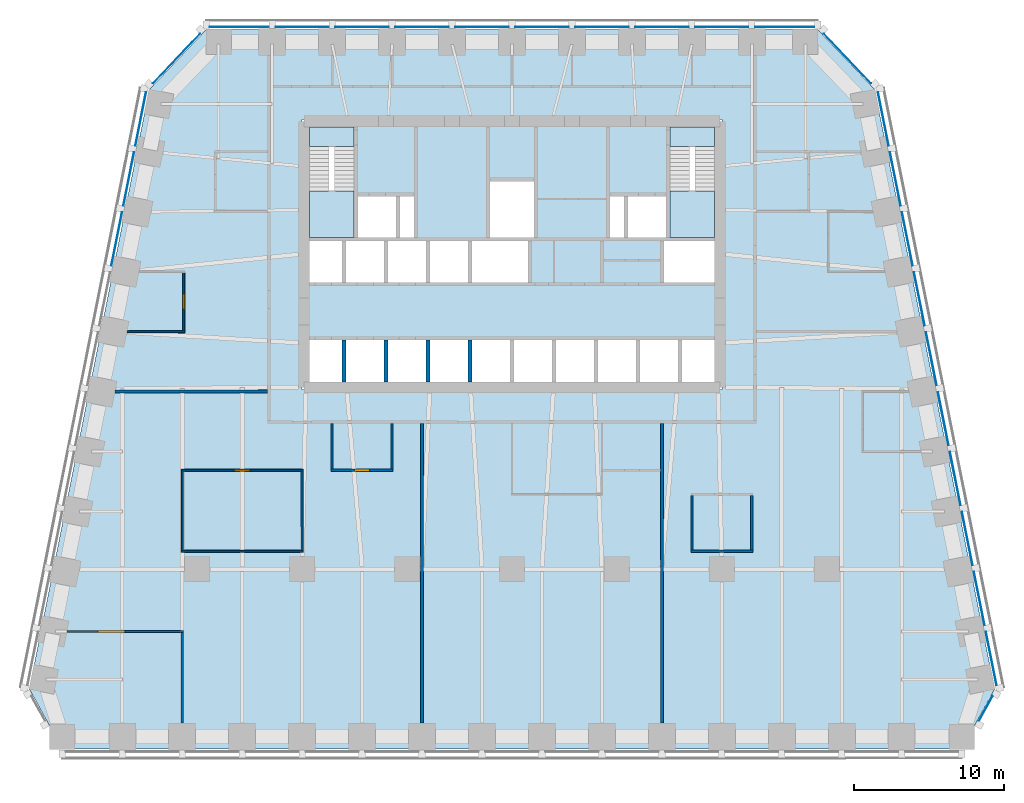
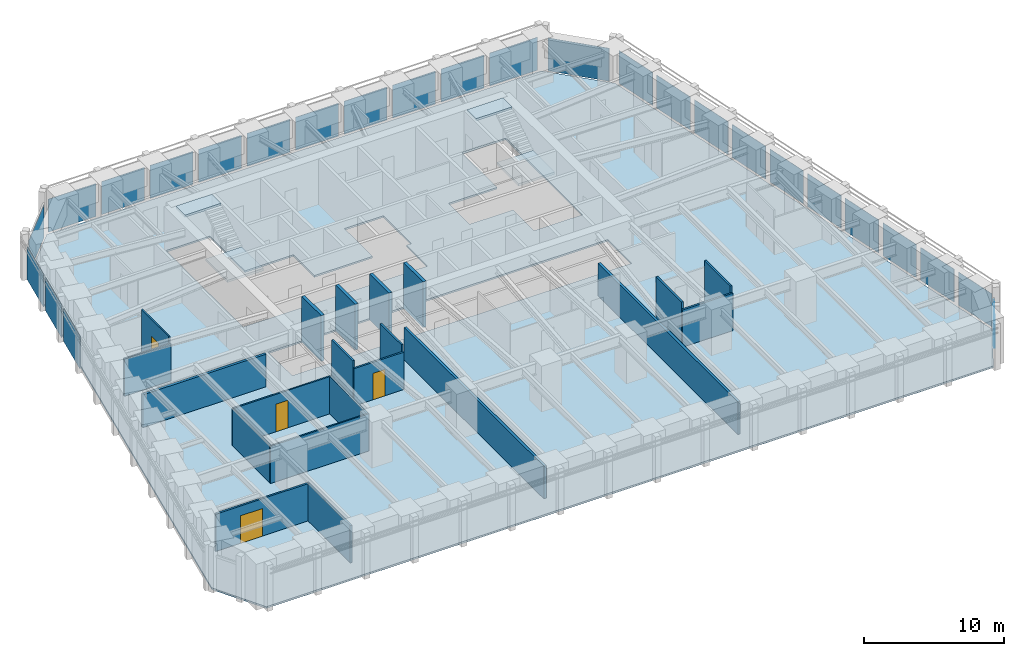
# One storey, part 5 of 10: 26 plates, 21 walls, 5 slabs, 4 doors, 4 openings, 8 elements without a shape of their own.
"""IFC4 building model written with IfcOpenShell, lengths in metres."""

from ifc_helpers import new_model, si_unit, direction, frame, frame_2d, origin, origin_2d, place, context, subcontext, project, spatial, polyline, rectangle, outline, extrude, material, layer, layer_set, type_object, element, fill, aggregate, save


model = new_model("IFC4")

# Units and contexts
model_context = context("Model", 3, precision=1e-05, world=origin(), true_north=direction((0.0, 1.0)))
body_context = subcontext(model_context, "Body", "Model", "MODEL_VIEW")
ifc_project = project(units=[si_unit("LENGTHUNIT", "METRE"), si_unit("AREAUNIT", "SQUARE_METRE"), si_unit("VOLUMEUNIT", "CUBIC_METRE"), si_unit("PLANEANGLEUNIT", "RADIAN"), si_unit("MASSUNIT", "GRAM", prefix="KILO")], contexts=[model_context])

# Site, building, storey
site_placement = place(None, origin())
site = spatial("IfcSite", under=ifc_project, at=site_placement, CompositionType="ELEMENT")
building_placement = place(site_placement, origin())
building = spatial("IfcBuilding", under=site, at=building_placement, Name="Isbrekke Arena Tower", CompositionType="ELEMENT")
storey_placement = place(building_placement, frame((0.0, 0.0, 155.0)))
storey = spatial("IfcBuildingStorey", under=building, at=storey_placement, Name="L35", CompositionType="ELEMENT", Elevation=155.0)

# Curtain wall, plate
ifc_material_1 = material(Name="Glazed aluminium curtain wall", Category="aluminium")
curtain_wall_type = type_object("IfcCurtainWallType", Name="CWM TOWER CURTAIN WALL MID ZONE", PredefinedType="USERDEFINED", material=ifc_material_1)
curtain_wall_1_placement = place(storey_placement, origin())
curtain_wall_1 = element("IfcCurtainWall", 1, at=curtain_wall_1_placement, inside=storey, type_object=curtain_wall_type, Name="CWM curtain wall L35-SE", ObjectType="TOWER CURTAIN WALL MID ZONE", PredefinedType="USERDEFINED")
ifc_material_2 = material(Name="Triple-glazed clear glass unit", Category="glass")
ifc_layer_1 = layer(ifc_material_2, 0.031982421875)
ifc_layer_set_1 = layer_set([ifc_layer_1], Name="CWM-P VISION PANEL")
plate_type = type_object("IfcPlateType", Name="CWM-P VISION PANEL", PredefinedType="CURTAIN_PANEL", material=ifc_layer_set_1)
plate_1_placement = place(storey_placement, frame((31.604248046875, -15.29052734375, 0.02001953125), z_axis=(0.0, 0.0, 1.0), x_axis=(0.481918749773, 0.876215908676, 0.0)))
plate_1 = element("IfcPlate", 2, at=plate_1_placement, type_object=plate_type, Name="CWM-P panel 1", PredefinedType="CURTAIN_PANEL", context=body_context, shape_type="SweptSolid", body=[
    extrude(rectangle(XDim=1.876220703125, YDim=0.031982421875, at=origin_2d()), origin(), (0.0, 0.0, 1.0), 2.8798828125),
])
aggregate(curtain_wall_1, [plate_1])

# Curtain wall, plates
curtain_wall_2_placement = place(storey_placement, origin())
curtain_wall_2 = element("IfcCurtainWall", 3, at=curtain_wall_2_placement, inside=storey, type_object=curtain_wall_type, Name="CWM curtain wall L35-E", ObjectType="TOWER CURTAIN WALL MID ZONE", PredefinedType="USERDEFINED")
plate_2_placement = place(storey_placement, frame((31.9716796875, -11.965576171875, 0.02001953125), z_axis=(0.0, 0.0, 1.0), x_axis=(-0.196116135138, 0.980580675691, 0.0)))
plate_2 = element("IfcPlate", 4, at=plate_2_placement, type_object=plate_type, Name="CWM-P panel 1", PredefinedType="CURTAIN_PANEL", context=body_context, shape_type="SweptSolid", body=[
    extrude(rectangle(XDim=3.629150390625, YDim=0.031982421875, at=origin_2d()), origin(), (0.0, 0.0, 1.0), 2.8798828125),
])
plate_3_placement = place(storey_placement, frame((31.171630859375, -7.965576171875, 0.02001953125), z_axis=(0.0, 0.0, 1.0), x_axis=(-0.196116135138, 0.980580675691, 0.0)))
plate_3 = element("IfcPlate", 5, at=plate_3_placement, type_object=plate_type, Name="CWM-P panel 2", PredefinedType="CURTAIN_PANEL", context=body_context, shape_type="SweptSolid", body=[
    extrude(rectangle(XDim=3.629150390625, YDim=0.031982421875, at=origin_2d()), origin(), (0.0, 0.0, 1.0), 2.8798828125),
])
plate_4_placement = place(storey_placement, frame((30.37158203125, -3.965576171875, 0.02001953125), z_axis=(0.0, 0.0, 1.0), x_axis=(-0.196116135138, 0.980580675691, 0.0)))
plate_4 = element("IfcPlate", 6, at=plate_4_placement, type_object=plate_type, Name="CWM-P panel 3", PredefinedType="CURTAIN_PANEL", context=body_context, shape_type="SweptSolid", body=[
    extrude(rectangle(XDim=3.629150390625, YDim=0.031982421875, at=origin_2d()), origin(), (0.0, 0.0, 1.0), 2.8798828125),
])
plate_5_placement = place(storey_placement, frame((29.571533203125, 0.034423828125, 0.02001953125), z_axis=(0.0, 0.0, 1.0), x_axis=(-0.196116135138, 0.980580675691, 0.0)))
plate_5 = element("IfcPlate", 7, at=plate_5_placement, type_object=plate_type, Name="CWM-P panel 4", PredefinedType="CURTAIN_PANEL", context=body_context, shape_type="SweptSolid", body=[
    extrude(rectangle(XDim=3.629150390625, YDim=0.031982421875, at=origin_2d()), origin(), (0.0, 0.0, 1.0), 2.8798828125),
])
plate_6_placement = place(storey_placement, frame((28.771484375, 4.034423828125, 0.02001953125), z_axis=(0.0, 0.0, 1.0), x_axis=(-0.196116135138, 0.980580675691, 0.0)))
plate_6 = element("IfcPlate", 8, at=plate_6_placement, type_object=plate_type, Name="CWM-P panel 5", PredefinedType="CURTAIN_PANEL", context=body_context, shape_type="SweptSolid", body=[
    extrude(rectangle(XDim=3.629150390625, YDim=0.031982421875, at=origin_2d()), origin(), (0.0, 0.0, 1.0), 2.8798828125),
])
plate_7_placement = place(storey_placement, frame((27.9716796875, 8.034423828125, 0.02001953125), z_axis=(0.0, 0.0, 1.0), x_axis=(-0.196116135138, 0.980580675691, 0.0)))
plate_7 = element("IfcPlate", 9, at=plate_7_placement, type_object=plate_type, Name="CWM-P panel 6", PredefinedType="CURTAIN_PANEL", context=body_context, shape_type="SweptSolid", body=[
    extrude(rectangle(XDim=3.629150390625, YDim=0.031982421875, at=origin_2d()), origin(), (0.0, 0.0, 1.0), 2.8798828125),
])
plate_8_placement = place(storey_placement, frame((27.171630859375, 12.034423828125, 0.02001953125), z_axis=(0.0, 0.0, 1.0), x_axis=(-0.196116135138, 0.980580675691, 0.0)))
plate_8 = element("IfcPlate", 10, at=plate_8_placement, type_object=plate_type, Name="CWM-P panel 7", PredefinedType="CURTAIN_PANEL", context=body_context, shape_type="SweptSolid", body=[
    extrude(rectangle(XDim=3.629150390625, YDim=0.031982421875, at=origin_2d()), origin(), (0.0, 0.0, 1.0), 2.8798828125),
])
plate_9_placement = place(storey_placement, frame((26.37158203125, 16.034423828125, 0.02001953125), z_axis=(0.0, 0.0, 1.0), x_axis=(-0.196116135138, 0.980580675691, 0.0)))
plate_9 = element("IfcPlate", 11, at=plate_9_placement, type_object=plate_type, Name="CWM-P panel 8", PredefinedType="CURTAIN_PANEL", context=body_context, shape_type="SweptSolid", body=[
    extrude(rectangle(XDim=3.629150390625, YDim=0.031982421875, at=origin_2d()), origin(), (0.0, 0.0, 1.0), 2.8798828125),
])
plate_10_placement = place(storey_placement, frame((25.571533203125, 20.034423828125, 0.02001953125), z_axis=(0.0, 0.0, 1.0), x_axis=(-0.196116135138, 0.980580675691, 0.0)))
plate_10 = element("IfcPlate", 12, at=plate_10_placement, type_object=plate_type, Name="CWM-P panel 9", PredefinedType="CURTAIN_PANEL", context=body_context, shape_type="SweptSolid", body=[
    extrude(rectangle(XDim=3.629150390625, YDim=0.031982421875, at=origin_2d()), origin(), (0.0, 0.0, 1.0), 2.8798828125),
])
plate_11_placement = place(storey_placement, frame((24.771484375, 24.034423828125, 0.02001953125), z_axis=(0.0, 0.0, 1.0), x_axis=(-0.196116135138, 0.980580675691, 0.0)))
plate_11 = element("IfcPlate", 13, at=plate_11_placement, type_object=plate_type, Name="CWM-P panel 10", PredefinedType="CURTAIN_PANEL", context=body_context, shape_type="SweptSolid", body=[
    extrude(rectangle(XDim=3.629150390625, YDim=0.031982421875, at=origin_2d()), origin(), (0.0, 0.0, 1.0), 2.8798828125),
])
aggregate(curtain_wall_2, [plate_2, plate_3, plate_4, plate_5, plate_6, plate_7, plate_8, plate_9, plate_10, plate_11])

# Curtain wall, plate
curtain_wall_3_placement = place(storey_placement, origin())
curtain_wall_3 = element("IfcCurtainWall", 14, at=curtain_wall_3_placement, inside=storey, type_object=curtain_wall_type, Name="CWM curtain wall L35-EN", ObjectType="TOWER CURTAIN WALL MID ZONE", PredefinedType="USERDEFINED")
plate_12_placement = place(storey_placement, frame((22.374755859375, 28.06640625, 0.02001953125), z_axis=(0.0, 0.0, 1.0), x_axis=(-0.68874946192, 0.72499943359, 0.0)))
plate_12 = element("IfcPlate", 15, at=plate_12_placement, type_object=plate_type, Name="CWM-P panel 1", PredefinedType="CURTAIN_PANEL", context=body_context, shape_type="SweptSolid", body=[
    extrude(rectangle(XDim=4.558349609375, YDim=0.031982421875, at=origin_2d()), origin(), (0.0, 0.0, 1.0), 2.8798828125),
])
aggregate(curtain_wall_3, [plate_12])

# Curtain wall, plates
curtain_wall_4_placement = place(storey_placement, origin())
curtain_wall_4 = element("IfcCurtainWall", 16, at=curtain_wall_4_placement, inside=storey, type_object=curtain_wall_type, Name="CWM curtain wall L35-N", ObjectType="TOWER CURTAIN WALL MID ZONE", PredefinedType="USERDEFINED")
plate_13_placement = place(storey_placement, frame((18.199951171875, 30.175048828125, 0.02001953125), z_axis=(0.0, 0.0, 1.0), x_axis=(-1.0, 0.0, 0.0)))
plate_13 = element("IfcPlate", 17, at=plate_13_placement, type_object=plate_type, Name="CWM-P panel 1", PredefinedType="CURTAIN_PANEL", context=body_context, shape_type="SweptSolid", body=[
    extrude(rectangle(XDim=3.949951171875, YDim=0.031982421875, at=origin_2d()), origin(), (0.0, 0.0, 1.0), 2.8798828125),
])
plate_14_placement = place(storey_placement, frame((14.0, 30.175048828125, 0.02001953125), z_axis=(0.0, 0.0, 1.0), x_axis=(-1.0, 0.0, 0.0)))
plate_14 = element("IfcPlate", 18, at=plate_14_placement, type_object=plate_type, Name="CWM-P panel 2", PredefinedType="CURTAIN_PANEL", context=body_context, shape_type="SweptSolid", body=[
    extrude(rectangle(XDim=3.550048828125, YDim=0.031982421875, at=origin_2d()), origin(), (0.0, 0.0, 1.0), 2.8798828125),
])
plate_15_placement = place(storey_placement, frame((10.0, 30.175048828125, 0.02001953125), z_axis=(0.0, 0.0, 1.0), x_axis=(-1.0, 0.0, 0.0)))
plate_15 = element("IfcPlate", 19, at=plate_15_placement, type_object=plate_type, Name="CWM-P panel 3", PredefinedType="CURTAIN_PANEL", context=body_context, shape_type="SweptSolid", body=[
    extrude(rectangle(XDim=3.550048828125, YDim=0.031982421875, at=origin_2d()), origin(), (0.0, 0.0, 1.0), 2.8798828125),
])
plate_16_placement = place(storey_placement, frame((6.0, 30.175048828125, 0.02001953125), z_axis=(0.0, 0.0, 1.0), x_axis=(-1.0, 0.0, 0.0)))
plate_16 = element("IfcPlate", 20, at=plate_16_placement, type_object=plate_type, Name="CWM-P panel 4", PredefinedType="CURTAIN_PANEL", context=body_context, shape_type="SweptSolid", body=[
    extrude(rectangle(XDim=3.550048828125, YDim=0.031982421875, at=origin_2d()), origin(), (0.0, 0.0, 1.0), 2.8798828125),
])
plate_17_placement = place(storey_placement, frame((2.0, 30.175048828125, 0.02001953125), z_axis=(0.0, 0.0, 1.0), x_axis=(-1.0, 0.0, 0.0)))
plate_17 = element("IfcPlate", 21, at=plate_17_placement, type_object=plate_type, Name="CWM-P panel 5", PredefinedType="CURTAIN_PANEL", context=body_context, shape_type="SweptSolid", body=[
    extrude(rectangle(XDim=3.550048828125, YDim=0.031982421875, at=origin_2d()), origin(), (0.0, 0.0, 1.0), 2.8798828125),
])
plate_18_placement = place(storey_placement, frame((-2.0, 30.175048828125, 0.02001953125), z_axis=(0.0, 0.0, 1.0), x_axis=(-1.0, 0.0, 0.0)))
plate_18 = element("IfcPlate", 22, at=plate_18_placement, type_object=plate_type, Name="CWM-P panel 6", PredefinedType="CURTAIN_PANEL", context=body_context, shape_type="SweptSolid", body=[
    extrude(rectangle(XDim=3.550048828125, YDim=0.031982421875, at=origin_2d()), origin(), (0.0, 0.0, 1.0), 2.8798828125),
])
plate_19_placement = place(storey_placement, frame((-6.0, 30.175048828125, 0.02001953125), z_axis=(0.0, 0.0, 1.0), x_axis=(-1.0, 0.0, 0.0)))
plate_19 = element("IfcPlate", 23, at=plate_19_placement, type_object=plate_type, Name="CWM-P panel 7", PredefinedType="CURTAIN_PANEL", context=body_context, shape_type="SweptSolid", body=[
    extrude(rectangle(XDim=3.550048828125, YDim=0.031982421875, at=origin_2d()), origin(), (0.0, 0.0, 1.0), 2.8798828125),
])
plate_20_placement = place(storey_placement, frame((-10.0, 30.175048828125, 0.02001953125), z_axis=(0.0, 0.0, 1.0), x_axis=(-1.0, 0.0, 0.0)))
plate_20 = element("IfcPlate", 24, at=plate_20_placement, type_object=plate_type, Name="CWM-P panel 8", PredefinedType="CURTAIN_PANEL", context=body_context, shape_type="SweptSolid", body=[
    extrude(rectangle(XDim=3.550048828125, YDim=0.031982421875, at=origin_2d()), origin(), (0.0, 0.0, 1.0), 2.8798828125),
])
plate_21_placement = place(storey_placement, frame((-14.0, 30.175048828125, 0.02001953125), z_axis=(0.0, 0.0, 1.0), x_axis=(-1.0, 0.0, 0.0)))
plate_21 = element("IfcPlate", 25, at=plate_21_placement, type_object=plate_type, Name="CWM-P panel 9", PredefinedType="CURTAIN_PANEL", context=body_context, shape_type="SweptSolid", body=[
    extrude(rectangle(XDim=3.550048828125, YDim=0.031982421875, at=origin_2d()), origin(), (0.0, 0.0, 1.0), 2.8798828125),
])
plate_22_placement = place(storey_placement, frame((-18.199951171875, 30.175048828125, 0.02001953125), z_axis=(0.0, 0.0, 1.0), x_axis=(-1.0, 0.0, 0.0)))
plate_22 = element("IfcPlate", 26, at=plate_22_placement, type_object=plate_type, Name="CWM-P panel 10", PredefinedType="CURTAIN_PANEL", context=body_context, shape_type="SweptSolid", body=[
    extrude(rectangle(XDim=3.949951171875, YDim=0.031982421875, at=origin_2d()), origin(), (0.0, 0.0, 1.0), 2.8798828125),
])
aggregate(curtain_wall_4, [plate_13, plate_14, plate_15, plate_16, plate_17, plate_18, plate_19, plate_20, plate_21, plate_22])

# Curtain wall, plate
curtain_wall_5_placement = place(storey_placement, origin())
curtain_wall_5 = element("IfcCurtainWall", 27, at=curtain_wall_5_placement, inside=storey, type_object=curtain_wall_type, Name="CWM curtain wall L35-NW", ObjectType="TOWER CURTAIN WALL MID ZONE", PredefinedType="USERDEFINED")
plate_23_placement = place(storey_placement, frame((-22.37451171875, 28.066650390625, 0.02001953125), z_axis=(0.0, 0.0, 1.0), x_axis=(-0.68874946192, -0.72499943359, 0.0)))
plate_23 = element("IfcPlate", 28, at=plate_23_placement, type_object=plate_type, Name="CWM-P panel 1", PredefinedType="CURTAIN_PANEL", context=body_context, shape_type="SweptSolid", body=[
    extrude(rectangle(XDim=4.557373046875, YDim=0.031982421875, at=origin_2d()), origin(), (0.0, 0.0, 1.0), 2.8798828125),
])
aggregate(curtain_wall_5, [plate_23])

# Curtain wall, plates
curtain_wall_6_placement = place(storey_placement, origin())
curtain_wall_6 = element("IfcCurtainWall", 29, at=curtain_wall_6_placement, inside=storey, type_object=curtain_wall_type, Name="CWM curtain wall L35-W", ObjectType="TOWER CURTAIN WALL MID ZONE", PredefinedType="USERDEFINED")
plate_24_placement = place(storey_placement, frame((-24.771484375, 24.034423828125, 0.02001953125), z_axis=(0.0, 0.0, 1.0), x_axis=(-0.196116135138, -0.980580675691, 0.0)))
plate_24 = element("IfcPlate", 30, at=plate_24_placement, type_object=plate_type, Name="CWM-P panel 1", PredefinedType="CURTAIN_PANEL", context=body_context, shape_type="SweptSolid", body=[
    extrude(rectangle(XDim=3.629150390625, YDim=0.031982421875, at=origin_2d()), origin(), (0.0, 0.0, 1.0), 2.8798828125),
])
plate_25_placement = place(storey_placement, frame((-25.571533203125, 20.034423828125, 0.02001953125), z_axis=(0.0, 0.0, 1.0), x_axis=(-0.196116135138, -0.980580675691, 0.0)))
plate_25 = element("IfcPlate", 31, at=plate_25_placement, type_object=plate_type, Name="CWM-P panel 2", PredefinedType="CURTAIN_PANEL", context=body_context, shape_type="SweptSolid", body=[
    extrude(rectangle(XDim=3.629150390625, YDim=0.031982421875, at=origin_2d()), origin(), (0.0, 0.0, 1.0), 2.8798828125),
])
plate_26_placement = place(storey_placement, frame((-26.37158203125, 16.034423828125, 0.02001953125), z_axis=(0.0, 0.0, 1.0), x_axis=(-0.196116135138, -0.980580675691, 0.0)))
plate_26 = element("IfcPlate", 32, at=plate_26_placement, type_object=plate_type, Name="CWM-P panel 3", PredefinedType="CURTAIN_PANEL", context=body_context, shape_type="SweptSolid", body=[
    extrude(rectangle(XDim=3.629150390625, YDim=0.031982421875, at=origin_2d()), origin(), (0.0, 0.0, 1.0), 2.8798828125),
])
aggregate(curtain_wall_6, [plate_24, plate_25, plate_26])

# Slab
ifc_material_3 = material(Name="Concrete B35 (C35/45)", Category="concrete")
ifc_layer_2 = layer(ifc_material_3, 0.14990234375)
ifc_layer_set_2 = layer_set([ifc_layer_2], Name="FS1 COMPOSITE FLOOR 150")
slab_type_1 = type_object("IfcSlabType", Name="FS1 COMPOSITE FLOOR 150", PredefinedType="FLOOR", material=ifc_layer_set_2)
slab_1_placement = place(storey_placement, frame((0.0, 0.0, -0.14990234375)))
element("IfcSlab", 33, at=slab_1_placement, inside=storey, type_object=slab_type_1, Name="FS1 floor slab L35", PredefinedType="FLOOR", context=body_context, shape_type="SweptSolid", body=[
    extrude(outline(polyline([(-30.0, -18.0), (30.0, -18.0), (32.199951171875, -14.0), (24.199951171875, 26.0), (20.39990234375, 30.0), (-20.39990234375, 30.0), (-24.199951171875, 26.0), (-32.199951171875, -14.0), (-30.0, -18.0)]), holes=[polyline([(14.0, 9.39990234375), (14.0, 6.0), (-14.0, 6.0), (-14.0, 9.39990234375), (14.0, 9.39990234375)]), polyline([(-6.39990234375, 19.0), (-6.39990234375, 16.0), (-1.60009765625, 16.0), (-1.60009765625, 20.0), (1.60009765625, 20.0), (1.60009765625, 16.0), (1.199951171875, 16.0), (1.199951171875, 13.0), (-14.0, 13.0), (-14.0, 24.0), (-10.39990234375, 24.0), (-10.39990234375, 19.0), (-6.39990234375, 19.0)]), polyline([(10.0, 13.0), (10.0, 16.0), (6.39990234375, 16.0), (6.39990234375, 19.0), (10.39990234375, 19.0), (10.39990234375, 24.0), (14.0, 24.0), (14.0, 13.0), (10.0, 13.0)])]), origin(), (0.0, 0.0, 1.0), 0.14990234375),
])

# Stair, slabs
ifc_material_4 = material(Name="Concrete B45 (C45/55) precast", Category="concrete")
stair_type = type_object("IfcStairType", Name="ST40 STAIR 1300 WIDE, 24 RISERS 167", PredefinedType="HALF_TURN_STAIR", material=ifc_material_4)
stair_1_placement = place(storey_placement, origin())
stair_1 = element("IfcStair", 34, at=stair_1_placement, inside=storey, type_object=stair_type, Name="ST1 stair L35", PredefinedType="HALF_TURN_STAIR")
ifc_material_5 = material(Name="Concrete B35 (C35/45)", Category="concrete")
ifc_layer_3 = layer(ifc_material_5, 0.199951171875)
ifc_layer_set_3 = layer_set([ifc_layer_3], Name="SL1 STAIR LANDING 200")
slab_type_2 = type_object("IfcSlabType", Name="SL1 STAIR LANDING 200", PredefinedType="LANDING", material=ifc_layer_set_3)
slab_2_placement = place(storey_placement, frame((0.0, 0.0, 1.800048828125)))
slab_2 = element("IfcSlab", 35, at=slab_2_placement, type_object=slab_type_2, Name="ST1 landing 1", PredefinedType="LANDING", context=body_context, shape_type="SweptSolid", body=[
    extrude(outline(polyline([(-13.5, 16.125), (-10.52490234375, 16.125), (-10.52490234375, 19.22998046875), (-13.5, 19.22998046875), (-13.5, 16.125)])), origin(), (0.0, 0.0, 1.0), 0.199951171875),
])
slab_3_placement = place(storey_placement, frame((0.0, 0.0, 3.800048828125)))
slab_3 = element("IfcSlab", 36, at=slab_3_placement, type_object=slab_type_2, Name="ST1 landing 2", PredefinedType="LANDING", context=body_context, shape_type="SweptSolid", body=[
    extrude(outline(polyline([(-13.5, 22.199951171875), (-10.52490234375, 22.199951171875), (-10.52490234375, 23.5), (-13.5, 23.5), (-13.5, 22.199951171875)])), origin(), (0.0, 0.0, 1.0), 0.199951171875),
])
aggregate(stair_1, [slab_2, slab_3])

stair_2_placement = place(storey_placement, origin())
stair_2 = element("IfcStair", 37, at=stair_2_placement, inside=storey, type_object=stair_type, Name="ST2 stair L35", PredefinedType="HALF_TURN_STAIR")
slab_4_placement = place(storey_placement, frame((0.0, 0.0, 1.800048828125)))
slab_4 = element("IfcSlab", 38, at=slab_4_placement, type_object=slab_type_2, Name="ST2 landing 1", PredefinedType="LANDING", context=body_context, shape_type="SweptSolid", body=[
    extrude(outline(polyline([(10.52490234375, 16.125), (13.5, 16.125), (13.5, 19.22998046875), (10.52490234375, 19.22998046875), (10.52490234375, 16.125)])), origin(), (0.0, 0.0, 1.0), 0.199951171875),
])
slab_5_placement = place(storey_placement, frame((0.0, 0.0, 3.800048828125)))
slab_5 = element("IfcSlab", 39, at=slab_5_placement, type_object=slab_type_2, Name="ST2 landing 2", PredefinedType="LANDING", context=body_context, shape_type="SweptSolid", body=[
    extrude(outline(polyline([(10.52490234375, 22.199951171875), (13.5, 22.199951171875), (13.5, 23.5), (10.52490234375, 23.5), (10.52490234375, 22.199951171875)])), origin(), (0.0, 0.0, 1.0), 0.199951171875),
])
aggregate(stair_2, [slab_4, slab_5])

# Walls
ifc_material_6 = material(Name="Concrete B45 (C45/55)", Category="concrete")
ifc_layer_4 = layer(ifc_material_6, 0.25)
ifc_layer_set_4 = layer_set([ifc_layer_4], Name="CW6 SHAFT WALL 250")
wall_type_1 = type_object("IfcWallType", Name="CW6 SHAFT WALL 250", PredefinedType="SHEAR", material=ifc_layer_set_4)
for number, where, z_axis, x_axis, name in (
    (40, (-11.199951171875, 6.5, 0.0), (0.0, 0.0, 1.0), (0.0, 1.0, 0.0), "Core wall SS01 L35"),
    (41, (-8.39990234375, 6.5, 0.0), (0.0, 0.0, 1.0), (0.0, 1.0, 0.0), "Core wall SS02 L35"),
    (42, (-5.60009765625, 6.5, 0.0), (0.0, 0.0, 1.0), (0.0, 1.0, 0.0), "Core wall SS03 L35"),
    (43, (-2.800048828125, 6.5, 0.0), (0.0, 0.0, 1.0), (0.0, 1.0, 0.0), "Core wall SS04 L35"),
):
    element("IfcWall", number, at=place(storey_placement, frame(where, z_axis=z_axis, x_axis=x_axis)), inside=storey, type_object=wall_type_1, Name=name, PredefinedType="SHEAR", context=body_context, shape_type="SweptSolid", body=[
        extrude(rectangle(XDim=2.77490234375, YDim=0.25, at=frame_2d((1.387451171875, 0.0))), origin(), (0.0, 0.0, 1.0), 4.0),
    ])

# Wall, opening, door
ifc_material_7 = material(Name="Gypsum board partition on steel studs", Category="steel")
ifc_layer_5 = layer(ifc_material_7, 0.14990234375)
ifc_layer_set_5 = layer_set([ifc_layer_5], Name="IW1 PARTITION 150")
wall_type_2 = type_object("IfcWallType", Name="IW1 PARTITION 150", PredefinedType="PARTITIONING", material=ifc_layer_set_5)
wall_1_placement = place(storey_placement, frame((-29.6728515625, -10.159912109375, 0.0), z_axis=(0.0, 0.0, 1.0), x_axis=(1.0, 0.0, 0.0)))
wall_1 = element("IfcWall", 44, at=wall_1_placement, inside=storey, type_object=wall_type_2, Name="IW1 partition 150 L35", PredefinedType="PARTITIONING", context=body_context, shape_type="SweptSolid", body=[
    extrude(rectangle(XDim=7.747802734375, YDim=0.14990234375, at=frame_2d((3.8740234375, 0.0))), origin(), (0.0, 0.0, 1.0), 3.25),
])
opening_1_placement = place(wall_1_placement, frame((2.041015625, 0.0, 0.0)))
opening_1 = element("IfcOpeningElement", 45, at=opening_1_placement, cuts=wall_1, Name="Opening D13", PredefinedType="OPENING", context=body_context, shape_type="SweptSolid", body=[
    extrude(rectangle(XDim=1.800048828125, YDim=2.39990234375, at=frame_2d((0.89990234375, 1.199951171875))), frame((0.0, 0.08984375, 0.0), z_axis=(0.0, -1.0, 0.0), x_axis=(1.0, 0.0, 0.0)), (0.0, 0.0, 1.0), 0.1796875),
])
ifc_material_8 = material(Name="Timber door pair", Category="wood")
door_type_1 = type_object("IfcDoorType", Name="D13 DOUBLE ROOM DOOR 1800 x 2400", OperationType="DOUBLE_DOOR_SINGLE_SWING", PredefinedType="DOOR", material=ifc_material_8)
door_1_placement = place(opening_1_placement, origin())
door_1 = element("IfcDoor", 46, at=door_1_placement, inside=storey, type_object=door_type_1, Name="D13 office door L35", OperationType="DOUBLE_DOOR_SINGLE_SWING", OverallHeight=2.39990234375, OverallWidth=1.800048828125, PredefinedType="DOOR", context=body_context, shape_type="SweptSolid", body=[
    extrude(rectangle(XDim=1.800048828125, YDim=2.39990234375, at=frame_2d((0.89990234375, 1.199951171875))), frame((0.0, 0.07470703125, 0.0), z_axis=(0.0, -1.0, 0.0), x_axis=(1.0, 0.0, 0.0)), (0.0, 0.0, 1.0), 0.1494140625),
])
fill(opening_1, door_1)

# Wall
wall_2_placement = place(storey_placement, frame((11.925048828125, -4.800048828125, 0.0), z_axis=(0.0, 0.0, 1.0), x_axis=(1.0, 0.0, 0.0)))
element("IfcWall", 47, at=wall_2_placement, inside=storey, type_object=wall_type_2, Name="IW1 partition 150 L35", PredefinedType="PARTITIONING", context=body_context, shape_type="SweptSolid", body=[
    extrude(rectangle(XDim=4.14990234375, YDim=0.14990234375, at=frame_2d((2.074951171875, 0.0))), origin(), (0.0, 0.0, 1.0), 3.25),
])

# Wall, opening, door
wall_3_placement = place(storey_placement, frame((-12.074951171875, 0.60009765625, 0.0), z_axis=(0.0, 0.0, 1.0), x_axis=(1.0, 0.0, 0.0)))
wall_3 = element("IfcWall", 48, at=wall_3_placement, inside=storey, type_object=wall_type_2, Name="IW1 partition 150 L35", PredefinedType="PARTITIONING", context=body_context, shape_type="SweptSolid", body=[
    extrude(rectangle(XDim=4.14990234375, YDim=0.14990234375, at=frame_2d((2.074951171875, 0.0))), origin(), (0.0, 0.0, 1.0), 3.25),
])
opening_2_placement = place(wall_3_placement, frame((1.574951171875, 0.0, 0.0)))
opening_2 = element("IfcOpeningElement", 49, at=opening_2_placement, cuts=wall_3, Name="Opening D10", PredefinedType="OPENING", context=body_context, shape_type="SweptSolid", body=[
    extrude(rectangle(XDim=1.0, YDim=2.300048828125, at=frame_2d((0.5, 1.14990234375))), frame((0.0, 0.08984375, 0.0), z_axis=(0.0, -1.0, 0.0), x_axis=(1.0, 0.0, 0.0)), (0.0, 0.0, 1.0), 0.1796875),
])
ifc_material_9 = material(Name="Timber door", Category="wood")
door_type_2 = type_object("IfcDoorType", Name="D10 OFFICE DOOR 1000 x 2300", OperationType="SINGLE_SWING_LEFT", PredefinedType="DOOR", material=ifc_material_9)
door_2_placement = place(opening_2_placement, origin())
door_2 = element("IfcDoor", 50, at=door_2_placement, inside=storey, type_object=door_type_2, Name="D10 tea point door L35", OperationType="SINGLE_SWING_LEFT", OverallHeight=2.300048828125, OverallWidth=1.0, PredefinedType="DOOR", context=body_context, shape_type="SweptSolid", body=[
    extrude(rectangle(XDim=1.0, YDim=2.300048828125, at=frame_2d((0.5, 1.14990234375))), frame((0.0, 0.07470703125, 0.0), z_axis=(0.0, -1.0, 0.0), x_axis=(1.0, 0.0, 0.0)), (0.0, 0.0, 1.0), 0.1494140625),
])
fill(opening_2, door_2)

# Walls
wall_4_placement = place(storey_placement, frame((-22.0, -16.27490234375, 0.0), z_axis=(0.0, 0.0, 1.0), x_axis=(0.0, 1.0, 0.0)))
element("IfcWall", 51, at=wall_4_placement, inside=storey, type_object=wall_type_2, Name="IW1 partition 150 L35", PredefinedType="PARTITIONING", context=body_context, shape_type="SweptSolid", body=[
    extrude(rectangle(XDim=6.039794921875, YDim=0.14990234375, at=frame_2d((3.02001953125, 0.0))), origin(), (0.0, 0.0, 1.0), 3.25),
])
for number, where, z_axis, x_axis, name in (
    (52, (-12.0, 0.675048828125, 0.0), (0.0, 0.0, 1.0), (0.0, 1.0, 0.0), "IW1 partition 150 L35"),
    (53, (-8.0, 0.675048828125, 0.0), (0.0, 0.0, 1.0), (0.0, 1.0, 0.0), "IW1 partition 150 L35"),
):
    element("IfcWall", number, at=place(storey_placement, frame(where, z_axis=z_axis, x_axis=x_axis)), inside=storey, type_object=wall_type_2, Name=name, PredefinedType="PARTITIONING", context=body_context, shape_type="SweptSolid", body=[
        extrude(rectangle(XDim=3.02490234375, YDim=0.14990234375, at=frame_2d((1.512451171875, 0.0))), origin(), (0.0, 0.0, 1.0), 3.85009765625),
    ])
for number, where, z_axis, x_axis, name in (
    (54, (12.0, -4.72509765625, 0.0), (0.0, 0.0, 1.0), (0.0, 1.0, 0.0), "IW1 partition 150 L35"),
    (55, (16.0, -4.72509765625, 0.0), (0.0, 0.0, 1.0), (0.0, 1.0, 0.0), "IW1 partition 150 L35"),
):
    element("IfcWall", number, at=place(storey_placement, frame(where, z_axis=z_axis, x_axis=x_axis)), inside=storey, type_object=wall_type_2, Name=name, PredefinedType="PARTITIONING", context=body_context, shape_type="SweptSolid", body=[
        extrude(rectangle(XDim=3.650146484375, YDim=0.14990234375, at=frame_2d((1.8251953125, 0.0))), origin(), (0.0, 0.0, 1.0), 3.85009765625),
    ])
ifc_material_10 = material(Name="Frameless glazed partition, laminated acoustic glass", Category="glass")
ifc_layer_6 = layer(ifc_material_10, 0.1201171875)
ifc_layer_set_6 = layer_set([ifc_layer_6], Name="IW2 GLAZED PARTITION 120")
wall_type_3 = type_object("IfcWallType", Name="IW2 GLAZED PARTITION 120", PredefinedType="PARTITIONING", material=ifc_layer_set_6)
wall_5_placement = place(storey_placement, frame((-22.06005859375, -4.800048828125, 0.0), z_axis=(0.0, 0.0, 1.0), x_axis=(1.0, 0.0, 0.0)))
element("IfcWall", 56, at=wall_5_placement, inside=storey, type_object=wall_type_3, Name="IW2 glazed partition 120 L35", PredefinedType="PARTITIONING", context=body_context, shape_type="SweptSolid", body=[
    extrude(rectangle(XDim=8.1201171875, YDim=0.1201171875, at=frame_2d((4.06005859375, 0.0))), origin(), (0.0, 0.0, 1.0), 3.25),
])

# Wall, opening, door
wall_6_placement = place(storey_placement, frame((-22.06005859375, 0.60009765625, 0.0), z_axis=(0.0, 0.0, 1.0), x_axis=(1.0, 0.0, 0.0)))
wall_6 = element("IfcWall", 57, at=wall_6_placement, inside=storey, type_object=wall_type_3, Name="IW2 glazed partition 120 L35", PredefinedType="PARTITIONING", context=body_context, shape_type="SweptSolid", body=[
    extrude(rectangle(XDim=8.1201171875, YDim=0.1201171875, at=frame_2d((4.06005859375, 0.0))), origin(), (0.0, 0.0, 1.0), 3.25),
])
opening_3_placement = place(wall_6_placement, frame((3.56005859375, 0.0, 0.0)))
opening_3 = element("IfcOpeningElement", 58, at=opening_3_placement, cuts=wall_6, Name="Opening D11", PredefinedType="OPENING", context=body_context, shape_type="SweptSolid", body=[
    extrude(rectangle(XDim=1.0, YDim=2.39990234375, at=frame_2d((0.5, 1.199951171875))), frame((0.0, 0.074951171875, 0.0), z_axis=(0.0, -1.0, 0.0), x_axis=(1.0, 0.0, 0.0)), (0.0, 0.0, 1.0), 0.14990234375),
])
ifc_material_11 = material(Name="Frameless glazed door", Category="glass")
door_type_3 = type_object("IfcDoorType", Name="D11 GLAZED MEETING ROOM DOOR 1000 x 2400", OperationType="SINGLE_SWING_RIGHT", PredefinedType="DOOR", material=ifc_material_11)
door_3_placement = place(opening_3_placement, origin())
door_3 = element("IfcDoor", 59, at=door_3_placement, inside=storey, type_object=door_type_3, Name="D11 meeting room door L35", OperationType="SINGLE_SWING_RIGHT", OverallHeight=2.39990234375, OverallWidth=1.0, PredefinedType="DOOR", context=body_context, shape_type="SweptSolid", body=[
    extrude(rectangle(XDim=1.0, YDim=2.39990234375, at=frame_2d((0.5, 1.199951171875))), frame((0.0, 0.059814453125, 0.0), z_axis=(0.0, -1.0, 0.0), x_axis=(1.0, 0.0, 0.0)), (0.0, 0.0, 1.0), 0.11962890625),
])
fill(opening_3, door_3)

# Walls
wall_7_placement = place(storey_placement, frame((-25.6728515625, 9.840087890625, 0.0), z_axis=(0.0, 0.0, 1.0), x_axis=(1.0, 0.0, 0.0)))
element("IfcWall", 60, at=wall_7_placement, inside=storey, type_object=wall_type_3, Name="IW2 glazed partition 120 L35", PredefinedType="PARTITIONING", context=body_context, shape_type="SweptSolid", body=[
    extrude(rectangle(XDim=3.832763671875, YDim=0.1201171875, at=frame_2d((1.91650390625, 0.0))), origin(), (0.0, 0.0, 1.0), 3.25),
])
wall_8_placement = place(storey_placement, frame((-22.0, -4.739990234375, 0.0), z_axis=(0.0, 0.0, 1.0), x_axis=(0.0, 1.0, 0.0)))
element("IfcWall", 61, at=wall_8_placement, inside=storey, type_object=wall_type_3, Name="IW2 glazed partition 120 L35", PredefinedType="PARTITIONING", context=body_context, shape_type="SweptSolid", body=[
    extrude(rectangle(XDim=5.280029296875, YDim=0.1201171875, at=frame_2d((2.64013671875, 0.0))), origin(), (0.0, 0.0, 1.0), 3.25),
])

# Wall, opening, door
wall_9_placement = place(storey_placement, frame((-21.89990234375, 9.89990234375, 0.0), z_axis=(0.0, 0.0, 1.0), x_axis=(0.0, 1.0, 0.0)))
wall_9 = element("IfcWall", 62, at=wall_9_placement, inside=storey, type_object=wall_type_3, Name="IW2 glazed partition 120 L35", PredefinedType="PARTITIONING", context=body_context, shape_type="SweptSolid", body=[
    extrude(rectangle(XDim=3.880126953125, YDim=0.1201171875, at=frame_2d((1.93994140625, 0.0))), origin(), (0.0, 0.0, 1.0), 3.85009765625),
])
opening_4_placement = place(wall_9_placement, frame((1.43994140625, 0.0, 0.0)))
opening_4 = element("IfcOpeningElement", 63, at=opening_4_placement, cuts=wall_9, Name="Opening D11", PredefinedType="OPENING", context=body_context, shape_type="SweptSolid", body=[
    extrude(rectangle(XDim=1.0, YDim=2.39990234375, at=frame_2d((0.5, 1.199951171875))), frame((0.0, 0.074951171875, 0.0), z_axis=(0.0, -1.0, 0.0), x_axis=(1.0, 0.0, 0.0)), (0.0, 0.0, 1.0), 0.14990234375),
])
door_4_placement = place(opening_4_placement, origin())
door_4 = element("IfcDoor", 64, at=door_4_placement, inside=storey, type_object=door_type_3, Name="D11 meeting room door L35", OperationType="SINGLE_SWING_RIGHT", OverallHeight=2.39990234375, OverallWidth=1.0, PredefinedType="DOOR", context=body_context, shape_type="SweptSolid", body=[
    extrude(rectangle(XDim=1.0, YDim=2.39990234375, at=frame_2d((0.5, 1.199951171875))), frame((0.0, 0.059814453125, 0.0), z_axis=(0.0, -1.0, 0.0), x_axis=(1.0, 0.0, 0.0)), (0.0, 0.0, 1.0), 0.11962890625),
])
fill(opening_4, door_4)

# Walls
wall_10_placement = place(storey_placement, frame((-14.0, -4.739990234375, 0.0), z_axis=(0.0, 0.0, 1.0), x_axis=(0.0, 1.0, 0.0)))
element("IfcWall", 65, at=wall_10_placement, inside=storey, type_object=wall_type_3, Name="IW2 glazed partition 120 L35", PredefinedType="PARTITIONING", context=body_context, shape_type="SweptSolid", body=[
    extrude(rectangle(XDim=5.280029296875, YDim=0.1201171875, at=frame_2d((2.64013671875, 0.0))), origin(), (0.0, 0.0, 1.0), 3.25),
])
ifc_material_12 = material(Name="Gypsum board fire-cell wall on steel studs, two layers each side", Category="steel")
ifc_layer_7 = layer(ifc_material_12, 0.199951171875)
ifc_layer_set_7 = layer_set([ifc_layer_7], Name="IW3 FIRE-CELL WALL 200")
wall_type_4 = type_object("IfcWallType", Name="IW3 FIRE-CELL WALL 200", PredefinedType="PARTITIONING", material=ifc_layer_set_7)
wall_11_placement = place(storey_placement, frame((-26.472900390625, 5.840087890625, 0.0), z_axis=(0.0, 0.0, 1.0), x_axis=(1.0, 0.0, 0.0)))
element("IfcWall", 66, at=wall_11_placement, inside=storey, type_object=wall_type_4, Name="IW3 fire-cell wall 200 L35", PredefinedType="PARTITIONING", context=body_context, shape_type="SweptSolid", body=[
    extrude(rectangle(XDim=10.1728515625, YDim=0.199951171875, at=frame_2d((5.08642578125, 0.0))), origin(), (0.0, 0.0, 1.0), 2.842041015625),
])
for number, where, z_axis, x_axis, name in (
    (67, (-6.0, -16.27490234375, 0.0), (0.0, 0.0, 1.0), (0.0, 1.0, 0.0), "IW3 fire-cell wall 200 L35"),
    (68, (10.0, -16.27490234375, 0.0), (0.0, 0.0, 1.0), (0.0, 1.0, 0.0), "IW3 fire-cell wall 200 L35"),
):
    element("IfcWall", number, at=place(storey_placement, frame(where, z_axis=z_axis, x_axis=x_axis)), inside=storey, type_object=wall_type_4, Name=name, PredefinedType="PARTITIONING", context=body_context, shape_type="SweptSolid", body=[
        extrude(rectangle(XDim=19.974853515625, YDim=0.199951171875, at=frame_2d((9.9873046875, 0.0))), origin(), (0.0, 0.0, 1.0), 2.842041015625),
    ])

save(model, "model.ifc")
